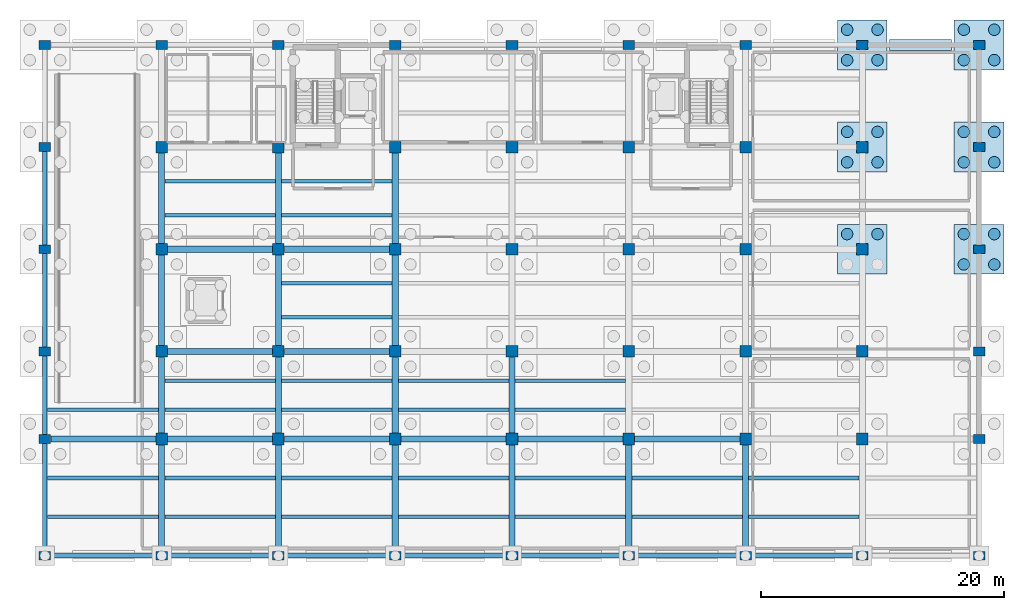
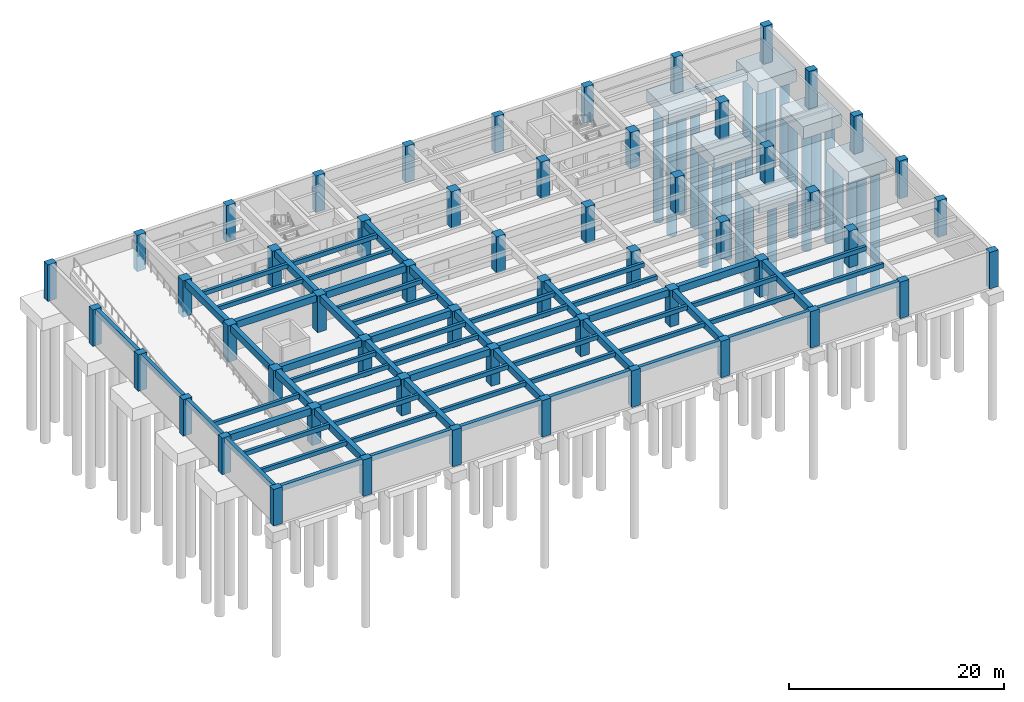
# One storey, part 2 of 8: 66 beams, 54 columns, 22 piles, 7 footings.
"""IFC4 building model written with IfcOpenShell, lengths in metres."""

from ifc_helpers import new_model, si_unit, direction, frame, origin, origin_2d, place, context, subcontext, project, spatial, rectangle, circle, extrude, material, material_profile, profile_set, type_object, element, save


model = new_model("IFC4")

# Units and contexts
model_context = context("Model", 3, precision=1e-05, world=origin(), true_north=direction((0.0, 1.0)))
body_context = subcontext(model_context, "Body", "Model", "MODEL_VIEW")
ifc_project = project(units=[si_unit("LENGTHUNIT", "METRE"), si_unit("AREAUNIT", "SQUARE_METRE"), si_unit("VOLUMEUNIT", "CUBIC_METRE"), si_unit("PLANEANGLEUNIT", "RADIAN"), si_unit("MASSUNIT", "GRAM", prefix="KILO")], contexts=[model_context])

# Site, building, storey
site_placement = place(None, origin())
site = spatial("IfcSite", under=ifc_project, at=site_placement, CompositionType="ELEMENT")
building_placement = place(site_placement, origin())
building = spatial("IfcBuilding", under=site, at=building_placement, Name="Bempovik Park Faculty of Sciences", CompositionType="ELEMENT")
storey_placement = place(building_placement, frame((0.0, 0.0, -4.5)))
storey = spatial("IfcBuildingStorey", under=building, at=storey_placement, Name="B1", CompositionType="ELEMENT", Elevation=-4.5)

# Footings
ifc_material_1 = material(Name="Concrete C35/45", Category="concrete")
footing_type_1 = type_object("IfcFootingType", Name="F-21 Pile Cap 4100x4100x1400", PredefinedType="PILE_CAP", material=ifc_material_1)
for number, where, z_axis, x_axis, name in (
    (1, (117.60009765625, 102.60009765625, -1.800048828125), (0.0, 0.0, 1.0), (1.0, 0.0, 0.0), "Footing FT-B1-1176-1026"),
    (2, (117.60009765625, 111.0, -1.800048828125), (0.0, 0.0, 1.0), (1.0, 0.0, 0.0), "Footing FT-B1-1176-1110"),
    (3, (117.60009765625, 119.39990234375, -1.800048828125), (0.0, 0.0, 1.0), (1.0, 0.0, 0.0), "Footing FT-B1-1176-1194"),
    (4, (127.199951171875, 102.60009765625, -1.800048828125), (0.0, 0.0, 1.0), (1.0, 0.0, 0.0), "Footing FT-B1-1272-1026"),
    (5, (127.199951171875, 111.0, -1.800048828125), (0.0, 0.0, 1.0), (1.0, 0.0, 0.0), "Footing FT-B1-1272-1110"),
    (6, (127.199951171875, 119.39990234375, -1.800048828125), (0.0, 0.0, 1.0), (1.0, 0.0, 0.0), "Footing FT-B1-1272-1194"),
):
    element("IfcFooting", number, at=place(storey_placement, frame(where, z_axis=z_axis, x_axis=x_axis)), inside=storey, type_object=footing_type_1, Name=name, PredefinedType="PILE_CAP", context=body_context, shape_type="SweptSolid", body=[
        extrude(rectangle(XDim=4.10009765625, YDim=4.10009765625, at=origin_2d()), origin(), (0.0, 0.0, 1.0), 1.39990234375),
    ])
footing_type_2 = type_object("IfcFootingType", Name="F-45 GB 900x700", PredefinedType="STRIP_FOOTING", material=ifc_material_1)
footing_placement = place(storey_placement, frame((122.39990234375, 119.39990234375, -1.10009765625), z_axis=(0.0, 0.0, 1.0), x_axis=(1.0, 0.0, 0.0)))
element("IfcFooting", 7, at=footing_placement, inside=storey, type_object=footing_type_2, Name="Retaining Strip Footing SF-B1-16", PredefinedType="STRIP_FOOTING", context=body_context, shape_type="SweptSolid", body=[
    extrude(rectangle(XDim=5.10009765625, YDim=0.89990234375, at=origin_2d()), origin(), (0.0, 0.0, 1.0), 0.699951171875),
])

# Piles
ifc_material_profile_1 = material_profile(ifc_material_1, circle(Radius=0.47509765625, at=origin_2d()), Name="BP D950")
ifc_profile_set_1 = profile_set([ifc_material_profile_1], Name="Concrete C35/45")
pile_type = type_object("IfcPileType", Name="P-14 BP D950", PredefinedType="BORED", material=ifc_profile_set_1)
for number, where, z_axis, x_axis, name in (
    (8, (116.35009765625, 103.85009765625, -1.699951171875), (0.0, 0.0, -1.0), (1.0, 0.0, 0.0), "Bored Pile FT-B1-1176-1026-P2"),
    (9, (118.85009765625, 103.85009765625, -1.699951171875), (0.0, 0.0, -1.0), (1.0, 0.0, 0.0), "Bored Pile FT-B1-1176-1026-P4"),
    (10, (116.35009765625, 109.75, -1.699951171875), (0.0, 0.0, -1.0), (1.0, 0.0, 0.0), "Bored Pile FT-B1-1176-1110-P1"),
    (11, (116.35009765625, 112.25, -1.699951171875), (0.0, 0.0, -1.0), (1.0, 0.0, 0.0), "Bored Pile FT-B1-1176-1110-P2"),
    (12, (118.85009765625, 109.75, -1.699951171875), (0.0, 0.0, -1.0), (1.0, 0.0, 0.0), "Bored Pile FT-B1-1176-1110-P3"),
    (13, (118.85009765625, 112.25, -1.699951171875), (0.0, 0.0, -1.0), (1.0, 0.0, 0.0), "Bored Pile FT-B1-1176-1110-P4"),
    (14, (116.35009765625, 118.14990234375, -1.699951171875), (0.0, 0.0, -1.0), (1.0, 0.0, 0.0), "Bored Pile FT-B1-1176-1194-P1"),
    (15, (116.35009765625, 120.64990234375, -1.699951171875), (0.0, 0.0, -1.0), (1.0, 0.0, 0.0), "Bored Pile FT-B1-1176-1194-P2"),
    (16, (118.85009765625, 118.14990234375, -1.699951171875), (0.0, 0.0, -1.0), (1.0, 0.0, 0.0), "Bored Pile FT-B1-1176-1194-P3"),
    (17, (118.85009765625, 120.64990234375, -1.699951171875), (0.0, 0.0, -1.0), (1.0, 0.0, 0.0), "Bored Pile FT-B1-1176-1194-P4"),
    (18, (125.949951171875, 101.35009765625, -1.699951171875), (0.0, 0.0, -1.0), (1.0, 0.0, 0.0), "Bored Pile FT-B1-1272-1026-P1"),
    (19, (125.949951171875, 103.85009765625, -1.699951171875), (0.0, 0.0, -1.0), (1.0, 0.0, 0.0), "Bored Pile FT-B1-1272-1026-P2"),
    (20, (128.449951171875, 101.35009765625, -1.699951171875), (0.0, 0.0, -1.0), (1.0, 0.0, 0.0), "Bored Pile FT-B1-1272-1026-P3"),
    (21, (128.449951171875, 103.85009765625, -1.699951171875), (0.0, 0.0, -1.0), (1.0, 0.0, 0.0), "Bored Pile FT-B1-1272-1026-P4"),
    (22, (125.949951171875, 109.75, -1.699951171875), (0.0, 0.0, -1.0), (1.0, 0.0, 0.0), "Bored Pile FT-B1-1272-1110-P1"),
    (23, (125.949951171875, 112.25, -1.699951171875), (0.0, 0.0, -1.0), (1.0, 0.0, 0.0), "Bored Pile FT-B1-1272-1110-P2"),
    (24, (128.449951171875, 109.75, -1.699951171875), (0.0, 0.0, -1.0), (1.0, 0.0, 0.0), "Bored Pile FT-B1-1272-1110-P3"),
    (25, (128.449951171875, 112.25, -1.699951171875), (0.0, 0.0, -1.0), (1.0, 0.0, 0.0), "Bored Pile FT-B1-1272-1110-P4"),
    (26, (125.949951171875, 118.14990234375, -1.699951171875), (0.0, 0.0, -1.0), (1.0, 0.0, 0.0), "Bored Pile FT-B1-1272-1194-P1"),
    (27, (125.949951171875, 120.64990234375, -1.699951171875), (0.0, 0.0, -1.0), (1.0, 0.0, 0.0), "Bored Pile FT-B1-1272-1194-P2"),
    (28, (128.449951171875, 118.14990234375, -1.699951171875), (0.0, 0.0, -1.0), (1.0, 0.0, 0.0), "Bored Pile FT-B1-1272-1194-P3"),
    (29, (128.449951171875, 120.64990234375, -1.699951171875), (0.0, 0.0, -1.0), (1.0, 0.0, 0.0), "Bored Pile FT-B1-1272-1194-P4"),
):
    element("IfcPile", number, at=place(storey_placement, frame(where, z_axis=z_axis, x_axis=x_axis)), inside=storey, type_object=pile_type, Name=name, PredefinedType="BORED", context=body_context, shape_type="SweptSolid", body=[
        extrude(circle(Radius=0.47509765625, at=origin_2d()), origin(), (0.0, 0.0, 1.0), 13.300048828125),
    ])

# Columns
ifc_material_2 = material(Name="Concrete C40/50", Category="concrete")
ifc_material_profile_2 = material_profile(ifc_material_2, rectangle(XDim=0.949951171875, YDim=0.719970703125, at=origin_2d()), Name="RC 950x720")
ifc_profile_set_2 = profile_set([ifc_material_profile_2], Name="Concrete C40/50")
column_type_1 = type_object("IfcColumnType", Name="C-63 RC 950x720", PredefinedType="COLUMN", material=ifc_profile_set_2)
for number, where, z_axis, x_axis, name in (
    (30, (50.39990234375, 77.39990234375, 0.0), (0.0, 0.0, 1.0), (1.0, 0.0, 0.0), "B1 Structural Column (50.4,77.4)"),
    (31, (50.39990234375, 87.0, 0.0), (0.0, 0.0, 1.0), (1.0, 0.0, 0.0), "B1 Structural Column (50.4,87.0)"),
    (32, (50.39990234375, 94.199951171875, 0.0), (0.0, 0.0, 1.0), (1.0, 0.0, 0.0), "B1 Structural Column (50.4,94.2)"),
    (33, (50.39990234375, 102.60009765625, 0.0), (0.0, 0.0, 1.0), (1.0, 0.0, 0.0), "B1 Structural Column (50.4,102.6)"),
    (34, (50.39990234375, 111.0, 0.0), (0.0, 0.0, 1.0), (1.0, 0.0, 0.0), "B1 Structural Column (50.4,111.0)"),
    (35, (50.39990234375, 119.39990234375, 0.0), (0.0, 0.0, 1.0), (1.0, 0.0, 0.0), "B1 Structural Column (50.4,119.4)"),
    (36, (60.0, 77.39990234375, 0.0), (0.0, 0.0, 1.0), (1.0, 0.0, 0.0), "B1 Structural Column (60.0,77.4)"),
    (37, (60.0, 119.39990234375, 0.0), (0.0, 0.0, 1.0), (1.0, 0.0, 0.0), "B1 Structural Column (60.0,119.4)"),
    (38, (69.60009765625, 77.39990234375, 0.0), (0.0, 0.0, 1.0), (1.0, 0.0, 0.0), "B1 Structural Column (69.6,77.4)"),
    (39, (69.60009765625, 119.39990234375, 0.0), (0.0, 0.0, 1.0), (1.0, 0.0, 0.0), "B1 Structural Column (69.6,119.4)"),
    (40, (79.199951171875, 77.39990234375, 0.0), (0.0, 0.0, 1.0), (1.0, 0.0, 0.0), "B1 Structural Column (79.2,77.4)"),
    (41, (79.199951171875, 119.39990234375, 0.0), (0.0, 0.0, 1.0), (1.0, 0.0, 0.0), "B1 Structural Column (79.2,119.4)"),
    (42, (88.800048828125, 77.39990234375, 0.0), (0.0, 0.0, 1.0), (1.0, 0.0, 0.0), "B1 Structural Column (88.8,77.4)"),
    (43, (88.800048828125, 119.39990234375, 0.0), (0.0, 0.0, 1.0), (1.0, 0.0, 0.0), "B1 Structural Column (88.8,119.4)"),
    (44, (98.39990234375, 77.39990234375, 0.0), (0.0, 0.0, 1.0), (1.0, 0.0, 0.0), "B1 Structural Column (98.4,77.4)"),
    (45, (98.39990234375, 119.39990234375, 0.0), (0.0, 0.0, 1.0), (1.0, 0.0, 0.0), "B1 Structural Column (98.4,119.4)"),
    (46, (108.0, 77.39990234375, 0.0), (0.0, 0.0, 1.0), (1.0, 0.0, 0.0), "B1 Structural Column (108.0,77.4)"),
    (47, (108.0, 119.39990234375, 0.0), (0.0, 0.0, 1.0), (1.0, 0.0, 0.0), "B1 Structural Column (108.0,119.4)"),
    (48, (117.60009765625, 77.39990234375, 0.0), (0.0, 0.0, 1.0), (1.0, 0.0, 0.0), "B1 Structural Column (117.6,77.4)"),
    (49, (117.60009765625, 119.39990234375, 0.0), (0.0, 0.0, 1.0), (1.0, 0.0, 0.0), "B1 Structural Column (117.6,119.4)"),
    (50, (127.199951171875, 77.39990234375, 0.0), (0.0, 0.0, 1.0), (1.0, 0.0, 0.0), "B1 Structural Column (127.2,77.4)"),
    (51, (127.199951171875, 87.0, 0.0), (0.0, 0.0, 1.0), (1.0, 0.0, 0.0), "B1 Structural Column (127.2,87.0)"),
):
    element("IfcColumn", number, at=place(storey_placement, frame(where, z_axis=z_axis, x_axis=x_axis)), inside=storey, type_object=column_type_1, Name=name, PredefinedType="COLUMN", context=body_context, shape_type="SweptSolid", body=[
        extrude(rectangle(XDim=0.949951171875, YDim=0.719970703125, at=origin_2d()), origin(), (0.0, 0.0, 1.0), 4.139892578125),
    ])
for number, where, z_axis, x_axis, name in (
    (52, (127.199951171875, 94.199951171875, 0.0), (0.0, 0.0, 1.0), (1.0, 0.0, 0.0), "B1 Structural Column (127.2,94.2)"),
    (53, (127.199951171875, 102.60009765625, 0.0), (0.0, 0.0, 1.0), (1.0, 0.0, 0.0), "B1 Structural Column (127.2,102.6)"),
    (54, (127.199951171875, 111.0, 0.0), (0.0, 0.0, 1.0), (1.0, 0.0, 0.0), "B1 Structural Column (127.2,111.0)"),
    (55, (127.199951171875, 119.39990234375, 0.0), (0.0, 0.0, 1.0), (1.0, 0.0, 0.0), "B1 Structural Column (127.2,119.4)"),
):
    element("IfcColumn", number, at=place(storey_placement, frame(where, z_axis=z_axis, x_axis=x_axis)), inside=storey, type_object=column_type_1, Name=name, PredefinedType="COLUMN", context=body_context, shape_type="SweptSolid", body=[
        extrude(rectangle(XDim=0.949951171875, YDim=0.719970703125, at=origin_2d()), origin(), (0.0, 0.0, 1.0), 4.280029296875),
    ])
ifc_material_profile_3 = material_profile(ifc_material_2, rectangle(XDim=0.949951171875, YDim=0.949951171875, at=origin_2d()), Name="RC 950x950")
ifc_profile_set_3 = profile_set([ifc_material_profile_3], Name="Concrete C40/50")
column_type_2 = type_object("IfcColumnType", Name="C-76 RC 950x950", PredefinedType="COLUMN", material=ifc_profile_set_3)
for number, where, z_axis, x_axis, name in (
    (56, (60.0, 87.0, 0.0), (0.0, 0.0, 1.0), (1.0, 0.0, 0.0), "B1 Structural Column (60.0,87.0)"),
    (57, (60.0, 94.199951171875, 0.0), (0.0, 0.0, 1.0), (1.0, 0.0, 0.0), "B1 Structural Column (60.0,94.2)"),
    (58, (60.0, 102.60009765625, 0.0), (0.0, 0.0, 1.0), (1.0, 0.0, 0.0), "B1 Structural Column (60.0,102.6)"),
    (59, (60.0, 111.0, 0.0), (0.0, 0.0, 1.0), (1.0, 0.0, 0.0), "B1 Structural Column (60.0,111.0)"),
    (60, (69.60009765625, 87.0, 0.0), (0.0, 0.0, 1.0), (1.0, 0.0, 0.0), "B1 Structural Column (69.6,87.0)"),
    (61, (69.60009765625, 94.199951171875, 0.0), (0.0, 0.0, 1.0), (1.0, 0.0, 0.0), "B1 Structural Column (69.6,94.2)"),
    (62, (69.60009765625, 102.60009765625, 0.0), (0.0, 0.0, 1.0), (1.0, 0.0, 0.0), "B1 Structural Column (69.6,102.6)"),
    (63, (69.60009765625, 111.0, 0.0), (0.0, 0.0, 1.0), (1.0, 0.0, 0.0), "B1 Structural Column (69.6,111.0)"),
    (64, (79.199951171875, 87.0, 0.0), (0.0, 0.0, 1.0), (1.0, 0.0, 0.0), "B1 Structural Column (79.2,87.0)"),
    (65, (79.199951171875, 94.199951171875, 0.0), (0.0, 0.0, 1.0), (1.0, 0.0, 0.0), "B1 Structural Column (79.2,94.2)"),
    (66, (79.199951171875, 102.60009765625, 0.0), (0.0, 0.0, 1.0), (1.0, 0.0, 0.0), "B1 Structural Column (79.2,102.6)"),
    (67, (79.199951171875, 111.0, 0.0), (0.0, 0.0, 1.0), (1.0, 0.0, 0.0), "B1 Structural Column (79.2,111.0)"),
    (68, (88.800048828125, 87.0, 0.0), (0.0, 0.0, 1.0), (1.0, 0.0, 0.0), "B1 Structural Column (88.8,87.0)"),
    (69, (88.800048828125, 94.199951171875, 0.0), (0.0, 0.0, 1.0), (1.0, 0.0, 0.0), "B1 Structural Column (88.8,94.2)"),
    (70, (88.800048828125, 102.60009765625, 0.0), (0.0, 0.0, 1.0), (1.0, 0.0, 0.0), "B1 Structural Column (88.8,102.6)"),
    (71, (88.800048828125, 111.0, 0.0), (0.0, 0.0, 1.0), (1.0, 0.0, 0.0), "B1 Structural Column (88.8,111.0)"),
    (72, (98.39990234375, 87.0, 0.0), (0.0, 0.0, 1.0), (1.0, 0.0, 0.0), "B1 Structural Column (98.4,87.0)"),
    (73, (98.39990234375, 94.199951171875, 0.0), (0.0, 0.0, 1.0), (1.0, 0.0, 0.0), "B1 Structural Column (98.4,94.2)"),
    (74, (98.39990234375, 102.60009765625, 0.0), (0.0, 0.0, 1.0), (1.0, 0.0, 0.0), "B1 Structural Column (98.4,102.6)"),
    (75, (98.39990234375, 111.0, 0.0), (0.0, 0.0, 1.0), (1.0, 0.0, 0.0), "B1 Structural Column (98.4,111.0)"),
    (76, (108.0, 87.0, 0.0), (0.0, 0.0, 1.0), (1.0, 0.0, 0.0), "B1 Structural Column (108.0,87.0)"),
    (77, (108.0, 94.199951171875, 0.0), (0.0, 0.0, 1.0), (1.0, 0.0, 0.0), "B1 Structural Column (108.0,94.2)"),
    (78, (108.0, 102.60009765625, 0.0), (0.0, 0.0, 1.0), (1.0, 0.0, 0.0), "B1 Structural Column (108.0,102.6)"),
    (79, (108.0, 111.0, 0.0), (0.0, 0.0, 1.0), (1.0, 0.0, 0.0), "B1 Structural Column (108.0,111.0)"),
    (80, (117.60009765625, 87.0, 0.0), (0.0, 0.0, 1.0), (1.0, 0.0, 0.0), "B1 Structural Column (117.6,87.0)"),
    (81, (117.60009765625, 94.199951171875, 0.0), (0.0, 0.0, 1.0), (1.0, 0.0, 0.0), "B1 Structural Column (117.6,94.2)"),
    (82, (117.60009765625, 102.60009765625, 0.0), (0.0, 0.0, 1.0), (1.0, 0.0, 0.0), "B1 Structural Column (117.6,102.6)"),
    (83, (117.60009765625, 111.0, 0.0), (0.0, 0.0, 1.0), (1.0, 0.0, 0.0), "B1 Structural Column (117.6,111.0)"),
):
    element("IfcColumn", number, at=place(storey_placement, frame(where, z_axis=z_axis, x_axis=x_axis)), inside=storey, type_object=column_type_2, Name=name, PredefinedType="COLUMN", context=body_context, shape_type="SweptSolid", body=[
        extrude(rectangle(XDim=0.949951171875, YDim=0.949951171875, at=origin_2d()), origin(), (0.0, 0.0, 1.0), 4.139892578125),
    ])

# Beams
ifc_material_profile_4 = material_profile(ifc_material_1, rectangle(XDim=0.3798828125, YDim=0.60009765625, at=origin_2d()), Name="RC 380x600")
ifc_profile_set_4 = profile_set([ifc_material_profile_4], Name="Concrete C35/45")
beam_type_1 = type_object("IfcBeamType", Name="B-032 RC 380x600", PredefinedType="SPANDREL", material=ifc_profile_set_4)
for number, where, z_axis, x_axis, name in (
    (84, (50.881103515625, 77.39990234375, 3.840087890625), (1.0, 0.0, 0.0), (0.0, 1.0, 0.0), "B1 Beam X (50.4-60.0, y=77.4)"),
    (85, (60.48095703125, 77.39990234375, 3.840087890625), (1.0, 0.0, 0.0), (0.0, 1.0, 0.0), "B1 Beam X (60.0-69.6, y=77.4)"),
    (86, (70.0810546875, 77.39990234375, 3.840087890625), (1.0, 0.0, 0.0), (0.0, 1.0, 0.0), "B1 Beam X (69.6-79.2, y=77.4)"),
):
    element("IfcBeam", number, at=place(storey_placement, frame(where, z_axis=z_axis, x_axis=x_axis)), inside=storey, type_object=beam_type_1, Name=name, PredefinedType="SPANDREL", context=body_context, shape_type="SweptSolid", body=[
        extrude(rectangle(XDim=0.3798828125, YDim=0.60009765625, at=origin_2d()), origin(), (0.0, 0.0, 1.0), 8.637939453125),
    ])
beam_1_placement = place(storey_placement, frame((79.680908203125, 77.39990234375, 3.840087890625), z_axis=(1.0, 0.0, 0.0), x_axis=(0.0, 1.0, 0.0)))
element("IfcBeam", 87, at=beam_1_placement, inside=storey, type_object=beam_type_1, Name="B1 Beam X (79.2-88.8, y=77.4)", PredefinedType="SPANDREL", context=body_context, shape_type="SweptSolid", body=[
    extrude(rectangle(XDim=0.3798828125, YDim=0.60009765625, at=origin_2d()), origin(), (0.0, 0.0, 1.0), 8.63818359375),
])
for number, where, z_axis, x_axis, name in (
    (88, (89.281005859375, 77.39990234375, 3.840087890625), (1.0, 0.0, 0.0), (0.0, 1.0, 0.0), "B1 Beam X (88.8-98.4, y=77.4)"),
    (89, (98.881103515625, 77.39990234375, 3.840087890625), (1.0, 0.0, 0.0), (0.0, 1.0, 0.0), "B1 Beam X (98.4-108.0, y=77.4)"),
    (90, (108.48095703125, 77.39990234375, 3.840087890625), (1.0, 0.0, 0.0), (0.0, 1.0, 0.0), "B1 Beam X (108.0-117.6, y=77.4)"),
):
    element("IfcBeam", number, at=place(storey_placement, frame(where, z_axis=z_axis, x_axis=x_axis)), inside=storey, type_object=beam_type_1, Name=name, PredefinedType="SPANDREL", context=body_context, shape_type="SweptSolid", body=[
        extrude(rectangle(XDim=0.3798828125, YDim=0.60009765625, at=origin_2d()), origin(), (0.0, 0.0, 1.0), 8.637939453125),
    ])
beam_2_placement = place(storey_placement, frame((50.39990234375, 77.76611328125, 3.840087890625), z_axis=(0.0, 1.0, 0.0), x_axis=(-1.0, 0.0, 0.0)))
element("IfcBeam", 91, at=beam_2_placement, inside=storey, type_object=beam_type_1, Name="B1 Beam Y (x=50.4, 77.4-87.0)", PredefinedType="SPANDREL", context=body_context, shape_type="SweptSolid", body=[
    extrude(rectangle(XDim=0.3798828125, YDim=0.60009765625, at=origin_2d()), origin(), (0.0, 0.0, 1.0), 8.867919921875),
])
beam_3_placement = place(storey_placement, frame((50.39990234375, 87.365966796875, 3.840087890625), z_axis=(0.0, 1.0, 0.0), x_axis=(-1.0, 0.0, 0.0)))
element("IfcBeam", 92, at=beam_3_placement, inside=storey, type_object=beam_type_1, Name="B1 Beam Y (x=50.4, 87.0-94.2)", PredefinedType="SPANDREL", context=body_context, shape_type="SweptSolid", body=[
    extrude(rectangle(XDim=0.3798828125, YDim=0.60009765625, at=origin_2d()), origin(), (0.0, 0.0, 1.0), 6.468017578125),
])
for number, where, z_axis, x_axis, name in (
    (93, (50.39990234375, 94.56591796875, 3.840087890625), (0.0, 1.0, 0.0), (-1.0, 0.0, 0.0), "B1 Beam Y (x=50.4, 94.2-102.6)"),
    (94, (50.39990234375, 102.966064453125, 3.840087890625), (0.0, 1.0, 0.0), (-1.0, 0.0, 0.0), "B1 Beam Y (x=50.4, 102.6-111.0)"),
):
    element("IfcBeam", number, at=place(storey_placement, frame(where, z_axis=z_axis, x_axis=x_axis)), inside=storey, type_object=beam_type_1, Name=name, PredefinedType="SPANDREL", context=body_context, shape_type="SweptSolid", body=[
        extrude(rectangle(XDim=0.3798828125, YDim=0.60009765625, at=origin_2d()), origin(), (0.0, 0.0, 1.0), 7.66796875),
    ])
ifc_material_profile_5 = material_profile(ifc_material_1, rectangle(XDim=0.300048828125, YDim=0.47998046875, at=origin_2d()), Name="RC 300x480")
ifc_profile_set_5 = profile_set([ifc_material_profile_5], Name="Concrete C35/45")
beam_type_2 = type_object("IfcBeamType", Name="B-039 RC 300x480", PredefinedType="JOIST", material=ifc_profile_set_5)
for number, where, z_axis, x_axis, name in (
    (95, (50.595947265625, 80.60009765625, 3.89990234375), (1.0, 0.0, 0.0), (0.0, 1.0, 0.0), "B1 Secondary Joist (50.4-60.0, y=80.60)"),
    (96, (50.595947265625, 83.800048828125, 3.89990234375), (1.0, 0.0, 0.0), (0.0, 1.0, 0.0), "B1 Secondary Joist (50.4-60.0, y=83.80)"),
    (97, (50.595947265625, 89.39990234375, 3.89990234375), (1.0, 0.0, 0.0), (0.0, 1.0, 0.0), "B1 Secondary Joist (50.4-60.0, y=89.40)"),
):
    element("IfcBeam", number, at=place(storey_placement, frame(where, z_axis=z_axis, x_axis=x_axis)), inside=storey, type_object=beam_type_2, Name=name, PredefinedType="JOIST", context=body_context, shape_type="SweptSolid", body=[
        extrude(rectangle(XDim=0.300048828125, YDim=0.47998046875, at=origin_2d()), origin(), (0.0, 0.0, 1.0), 9.14794921875),
    ])
for number, where, z_axis, x_axis, name in (
    (98, (60.256103515625, 80.60009765625, 3.89990234375), (1.0, 0.0, 0.0), (0.0, 1.0, 0.0), "B1 Secondary Joist (60.0-69.6, y=80.60)"),
    (99, (60.256103515625, 83.800048828125, 3.89990234375), (1.0, 0.0, 0.0), (0.0, 1.0, 0.0), "B1 Secondary Joist (60.0-69.6, y=83.80)"),
    (100, (60.256103515625, 89.39990234375, 3.89990234375), (1.0, 0.0, 0.0), (0.0, 1.0, 0.0), "B1 Secondary Joist (60.0-69.6, y=89.40)"),
    (101, (60.256103515625, 91.800048828125, 3.89990234375), (1.0, 0.0, 0.0), (0.0, 1.0, 0.0), "B1 Secondary Joist (60.0-69.6, y=91.80)"),
    (102, (60.256103515625, 105.39990234375, 3.89990234375), (1.0, 0.0, 0.0), (0.0, 1.0, 0.0), "B1 Secondary Joist (60.0-69.6, y=105.40)"),
    (103, (60.256103515625, 108.199951171875, 3.89990234375), (1.0, 0.0, 0.0), (0.0, 1.0, 0.0), "B1 Secondary Joist (60.0-69.6, y=108.20)"),
):
    element("IfcBeam", number, at=place(storey_placement, frame(where, z_axis=z_axis, x_axis=x_axis)), inside=storey, type_object=beam_type_2, Name=name, PredefinedType="JOIST", context=body_context, shape_type="SweptSolid", body=[
        extrude(rectangle(XDim=0.300048828125, YDim=0.47998046875, at=origin_2d()), origin(), (0.0, 0.0, 1.0), 9.087890625),
    ])
for number, where, z_axis, x_axis, name in (
    (104, (69.85595703125, 80.60009765625, 3.89990234375), (1.0, 0.0, 0.0), (0.0, 1.0, 0.0), "B1 Secondary Joist (69.6-79.2, y=80.60)"),
    (105, (69.85595703125, 83.800048828125, 3.89990234375), (1.0, 0.0, 0.0), (0.0, 1.0, 0.0), "B1 Secondary Joist (69.6-79.2, y=83.80)"),
    (106, (69.85595703125, 89.39990234375, 3.89990234375), (1.0, 0.0, 0.0), (0.0, 1.0, 0.0), "B1 Secondary Joist (69.6-79.2, y=89.40)"),
    (107, (69.85595703125, 91.800048828125, 3.89990234375), (1.0, 0.0, 0.0), (0.0, 1.0, 0.0), "B1 Secondary Joist (69.6-79.2, y=91.80)"),
    (108, (69.85595703125, 97.0, 3.89990234375), (1.0, 0.0, 0.0), (0.0, 1.0, 0.0), "B1 Secondary Joist (69.6-79.2, y=97.00)"),
    (109, (69.85595703125, 99.800048828125, 3.89990234375), (1.0, 0.0, 0.0), (0.0, 1.0, 0.0), "B1 Secondary Joist (69.6-79.2, y=99.80)"),
    (110, (69.85595703125, 105.39990234375, 3.89990234375), (1.0, 0.0, 0.0), (0.0, 1.0, 0.0), "B1 Secondary Joist (69.6-79.2, y=105.40)"),
    (111, (69.85595703125, 108.199951171875, 3.89990234375), (1.0, 0.0, 0.0), (0.0, 1.0, 0.0), "B1 Secondary Joist (69.6-79.2, y=108.20)"),
):
    element("IfcBeam", number, at=place(storey_placement, frame(where, z_axis=z_axis, x_axis=x_axis)), inside=storey, type_object=beam_type_2, Name=name, PredefinedType="JOIST", context=body_context, shape_type="SweptSolid", body=[
        extrude(rectangle(XDim=0.300048828125, YDim=0.47998046875, at=origin_2d()), origin(), (0.0, 0.0, 1.0), 9.088134765625),
    ])
for number, where, z_axis, x_axis, name in (
    (112, (79.4560546875, 80.60009765625, 3.89990234375), (1.0, 0.0, 0.0), (0.0, 1.0, 0.0), "B1 Secondary Joist (79.2-88.8, y=80.60)"),
    (113, (79.4560546875, 83.800048828125, 3.89990234375), (1.0, 0.0, 0.0), (0.0, 1.0, 0.0), "B1 Secondary Joist (79.2-88.8, y=83.80)"),
    (114, (79.4560546875, 89.39990234375, 3.89990234375), (1.0, 0.0, 0.0), (0.0, 1.0, 0.0), "B1 Secondary Joist (79.2-88.8, y=89.40)"),
    (115, (79.4560546875, 91.800048828125, 3.89990234375), (1.0, 0.0, 0.0), (0.0, 1.0, 0.0), "B1 Secondary Joist (79.2-88.8, y=91.80)"),
):
    element("IfcBeam", number, at=place(storey_placement, frame(where, z_axis=z_axis, x_axis=x_axis)), inside=storey, type_object=beam_type_2, Name=name, PredefinedType="JOIST", context=body_context, shape_type="SweptSolid", body=[
        extrude(rectangle(XDim=0.300048828125, YDim=0.47998046875, at=origin_2d()), origin(), (0.0, 0.0, 1.0), 9.087890625),
    ])
for number, where, z_axis, x_axis, name in (
    (116, (89.055908203125, 80.60009765625, 3.89990234375), (1.0, 0.0, 0.0), (0.0, 1.0, 0.0), "B1 Secondary Joist (88.8-98.4, y=80.60)"),
    (117, (89.055908203125, 83.800048828125, 3.89990234375), (1.0, 0.0, 0.0), (0.0, 1.0, 0.0), "B1 Secondary Joist (88.8-98.4, y=83.80)"),
    (118, (89.055908203125, 89.39990234375, 3.89990234375), (1.0, 0.0, 0.0), (0.0, 1.0, 0.0), "B1 Secondary Joist (88.8-98.4, y=89.40)"),
    (119, (89.055908203125, 91.800048828125, 3.89990234375), (1.0, 0.0, 0.0), (0.0, 1.0, 0.0), "B1 Secondary Joist (88.8-98.4, y=91.80)"),
):
    element("IfcBeam", number, at=place(storey_placement, frame(where, z_axis=z_axis, x_axis=x_axis)), inside=storey, type_object=beam_type_2, Name=name, PredefinedType="JOIST", context=body_context, shape_type="SweptSolid", body=[
        extrude(rectangle(XDim=0.300048828125, YDim=0.47998046875, at=origin_2d()), origin(), (0.0, 0.0, 1.0), 9.088134765625),
    ])
for number, where, z_axis, x_axis, name in (
    (120, (98.656005859375, 80.60009765625, 3.89990234375), (1.0, 0.0, 0.0), (0.0, 1.0, 0.0), "B1 Secondary Joist (98.4-108.0, y=80.60)"),
    (121, (98.656005859375, 83.800048828125, 3.89990234375), (1.0, 0.0, 0.0), (0.0, 1.0, 0.0), "B1 Secondary Joist (98.4-108.0, y=83.80)"),
    (122, (108.256103515625, 80.60009765625, 3.89990234375), (1.0, 0.0, 0.0), (0.0, 1.0, 0.0), "B1 Secondary Joist (108.0-117.6, y=80.60)"),
    (123, (108.256103515625, 83.800048828125, 3.89990234375), (1.0, 0.0, 0.0), (0.0, 1.0, 0.0), "B1 Secondary Joist (108.0-117.6, y=83.80)"),
):
    element("IfcBeam", number, at=place(storey_placement, frame(where, z_axis=z_axis, x_axis=x_axis)), inside=storey, type_object=beam_type_2, Name=name, PredefinedType="JOIST", context=body_context, shape_type="SweptSolid", body=[
        extrude(rectangle(XDim=0.300048828125, YDim=0.47998046875, at=origin_2d()), origin(), (0.0, 0.0, 1.0), 9.087890625),
    ])
ifc_material_profile_6 = material_profile(ifc_material_2, rectangle(XDim=0.5, YDim=0.780029296875, at=origin_2d()), Name="RC 500x780")
ifc_profile_set_6 = profile_set([ifc_material_profile_6], Name="Concrete C40/50")
beam_type_3 = type_object("IfcBeamType", Name="B-065 RC 500x780", PredefinedType="BEAM", material=ifc_profile_set_6)
for number, where, z_axis, x_axis, name in (
    (124, (50.881103515625, 87.0, 3.75), (1.0, 0.0, 0.0), (0.0, 1.0, 0.0), "B1 Beam X (50.4-60.0, y=87.0)"),
    (125, (60.48095703125, 87.0, 3.75), (1.0, 0.0, 0.0), (0.0, 1.0, 0.0), "B1 Beam X (60.0-69.6, y=87.0)"),
    (126, (70.0810546875, 87.0, 3.75), (1.0, 0.0, 0.0), (0.0, 1.0, 0.0), "B1 Beam X (69.6-79.2, y=87.0)"),
):
    element("IfcBeam", number, at=place(storey_placement, frame(where, z_axis=z_axis, x_axis=x_axis)), inside=storey, type_object=beam_type_3, Name=name, PredefinedType="BEAM", context=body_context, shape_type="SweptSolid", body=[
        extrude(rectangle(XDim=0.5, YDim=0.780029296875, at=origin_2d()), origin(), (0.0, 0.0, 1.0), 8.637939453125),
    ])
beam_4_placement = place(storey_placement, frame((79.680908203125, 87.0, 3.75), z_axis=(1.0, 0.0, 0.0), x_axis=(0.0, 1.0, 0.0)))
element("IfcBeam", 127, at=beam_4_placement, inside=storey, type_object=beam_type_3, Name="B1 Beam X (79.2-88.8, y=87.0)", PredefinedType="BEAM", context=body_context, shape_type="SweptSolid", body=[
    extrude(rectangle(XDim=0.5, YDim=0.780029296875, at=origin_2d()), origin(), (0.0, 0.0, 1.0), 8.63818359375),
])
for number, where, z_axis, x_axis, name in (
    (128, (89.281005859375, 87.0, 3.75), (1.0, 0.0, 0.0), (0.0, 1.0, 0.0), "B1 Beam X (88.8-98.4, y=87.0)"),
    (129, (98.881103515625, 87.0, 3.75), (1.0, 0.0, 0.0), (0.0, 1.0, 0.0), "B1 Beam X (98.4-108.0, y=87.0)"),
    (130, (60.48095703125, 94.199951171875, 3.75), (1.0, 0.0, 0.0), (0.0, 1.0, 0.0), "B1 Beam X (60.0-69.6, y=94.2)"),
    (131, (70.0810546875, 94.199951171875, 3.75), (1.0, 0.0, 0.0), (0.0, 1.0, 0.0), "B1 Beam X (69.6-79.2, y=94.2)"),
    (132, (60.48095703125, 102.60009765625, 3.75), (1.0, 0.0, 0.0), (0.0, 1.0, 0.0), "B1 Beam X (60.0-69.6, y=102.6)"),
    (133, (70.0810546875, 102.60009765625, 3.75), (1.0, 0.0, 0.0), (0.0, 1.0, 0.0), "B1 Beam X (69.6-79.2, y=102.6)"),
):
    element("IfcBeam", number, at=place(storey_placement, frame(where, z_axis=z_axis, x_axis=x_axis)), inside=storey, type_object=beam_type_3, Name=name, PredefinedType="BEAM", context=body_context, shape_type="SweptSolid", body=[
        extrude(rectangle(XDim=0.5, YDim=0.780029296875, at=origin_2d()), origin(), (0.0, 0.0, 1.0), 8.637939453125),
    ])
beam_5_placement = place(storey_placement, frame((60.0, 77.76611328125, 3.75), z_axis=(0.0, 1.0, 0.0), x_axis=(-1.0, 0.0, 0.0)))
element("IfcBeam", 134, at=beam_5_placement, inside=storey, type_object=beam_type_3, Name="B1 Beam Y (x=60.0, 77.4-87.0)", PredefinedType="BEAM", context=body_context, shape_type="SweptSolid", body=[
    extrude(rectangle(XDim=0.5, YDim=0.780029296875, at=origin_2d()), origin(), (0.0, 0.0, 1.0), 8.7529296875),
])
beam_6_placement = place(storey_placement, frame((60.0, 87.48095703125, 3.75), z_axis=(0.0, 1.0, 0.0), x_axis=(-1.0, 0.0, 0.0)))
element("IfcBeam", 135, at=beam_6_placement, inside=storey, type_object=beam_type_3, Name="B1 Beam Y (x=60.0, 87.0-94.2)", PredefinedType="BEAM", context=body_context, shape_type="SweptSolid", body=[
    extrude(rectangle(XDim=0.5, YDim=0.780029296875, at=origin_2d()), origin(), (0.0, 0.0, 1.0), 6.238037109375),
])
for number, where, z_axis, x_axis, name in (
    (136, (60.0, 94.680908203125, 3.75), (0.0, 1.0, 0.0), (-1.0, 0.0, 0.0), "B1 Beam Y (x=60.0, 94.2-102.6)"),
    (137, (60.0, 103.0810546875, 3.75), (0.0, 1.0, 0.0), (-1.0, 0.0, 0.0), "B1 Beam Y (x=60.0, 102.6-111.0)"),
):
    element("IfcBeam", number, at=place(storey_placement, frame(where, z_axis=z_axis, x_axis=x_axis)), inside=storey, type_object=beam_type_3, Name=name, PredefinedType="BEAM", context=body_context, shape_type="SweptSolid", body=[
        extrude(rectangle(XDim=0.5, YDim=0.780029296875, at=origin_2d()), origin(), (0.0, 0.0, 1.0), 7.43798828125),
    ])
beam_7_placement = place(storey_placement, frame((69.60009765625, 77.76611328125, 3.75), z_axis=(0.0, 1.0, 0.0), x_axis=(-1.0, 0.0, 0.0)))
element("IfcBeam", 138, at=beam_7_placement, inside=storey, type_object=beam_type_3, Name="B1 Beam Y (x=69.6, 77.4-87.0)", PredefinedType="BEAM", context=body_context, shape_type="SweptSolid", body=[
    extrude(rectangle(XDim=0.5, YDim=0.780029296875, at=origin_2d()), origin(), (0.0, 0.0, 1.0), 8.7529296875),
])
beam_8_placement = place(storey_placement, frame((69.60009765625, 87.48095703125, 3.75), z_axis=(0.0, 1.0, 0.0), x_axis=(-1.0, 0.0, 0.0)))
element("IfcBeam", 139, at=beam_8_placement, inside=storey, type_object=beam_type_3, Name="B1 Beam Y (x=69.6, 87.0-94.2)", PredefinedType="BEAM", context=body_context, shape_type="SweptSolid", body=[
    extrude(rectangle(XDim=0.5, YDim=0.780029296875, at=origin_2d()), origin(), (0.0, 0.0, 1.0), 6.238037109375),
])
for number, where, z_axis, x_axis, name in (
    (140, (69.60009765625, 94.680908203125, 3.75), (0.0, 1.0, 0.0), (-1.0, 0.0, 0.0), "B1 Beam Y (x=69.6, 94.2-102.6)"),
    (141, (69.60009765625, 103.0810546875, 3.75), (0.0, 1.0, 0.0), (-1.0, 0.0, 0.0), "B1 Beam Y (x=69.6, 102.6-111.0)"),
):
    element("IfcBeam", number, at=place(storey_placement, frame(where, z_axis=z_axis, x_axis=x_axis)), inside=storey, type_object=beam_type_3, Name=name, PredefinedType="BEAM", context=body_context, shape_type="SweptSolid", body=[
        extrude(rectangle(XDim=0.5, YDim=0.780029296875, at=origin_2d()), origin(), (0.0, 0.0, 1.0), 7.43798828125),
    ])
beam_9_placement = place(storey_placement, frame((79.199951171875, 77.76611328125, 3.75), z_axis=(0.0, 1.0, 0.0), x_axis=(-1.0, 0.0, 0.0)))
element("IfcBeam", 142, at=beam_9_placement, inside=storey, type_object=beam_type_3, Name="B1 Beam Y (x=79.2, 77.4-87.0)", PredefinedType="BEAM", context=body_context, shape_type="SweptSolid", body=[
    extrude(rectangle(XDim=0.5, YDim=0.780029296875, at=origin_2d()), origin(), (0.0, 0.0, 1.0), 8.7529296875),
])
beam_10_placement = place(storey_placement, frame((79.199951171875, 87.48095703125, 3.75), z_axis=(0.0, 1.0, 0.0), x_axis=(-1.0, 0.0, 0.0)))
element("IfcBeam", 143, at=beam_10_placement, inside=storey, type_object=beam_type_3, Name="B1 Beam Y (x=79.2, 87.0-94.2)", PredefinedType="BEAM", context=body_context, shape_type="SweptSolid", body=[
    extrude(rectangle(XDim=0.5, YDim=0.780029296875, at=origin_2d()), origin(), (0.0, 0.0, 1.0), 6.238037109375),
])
for number, where, z_axis, x_axis, name in (
    (144, (79.199951171875, 94.680908203125, 3.75), (0.0, 1.0, 0.0), (-1.0, 0.0, 0.0), "B1 Beam Y (x=79.2, 94.2-102.6)"),
    (145, (79.199951171875, 103.0810546875, 3.75), (0.0, 1.0, 0.0), (-1.0, 0.0, 0.0), "B1 Beam Y (x=79.2, 102.6-111.0)"),
):
    element("IfcBeam", number, at=place(storey_placement, frame(where, z_axis=z_axis, x_axis=x_axis)), inside=storey, type_object=beam_type_3, Name=name, PredefinedType="BEAM", context=body_context, shape_type="SweptSolid", body=[
        extrude(rectangle(XDim=0.5, YDim=0.780029296875, at=origin_2d()), origin(), (0.0, 0.0, 1.0), 7.43798828125),
    ])
beam_11_placement = place(storey_placement, frame((88.800048828125, 77.76611328125, 3.75), z_axis=(0.0, 1.0, 0.0), x_axis=(-1.0, 0.0, 0.0)))
element("IfcBeam", 146, at=beam_11_placement, inside=storey, type_object=beam_type_3, Name="B1 Beam Y (x=88.8, 77.4-87.0)", PredefinedType="BEAM", context=body_context, shape_type="SweptSolid", body=[
    extrude(rectangle(XDim=0.5, YDim=0.780029296875, at=origin_2d()), origin(), (0.0, 0.0, 1.0), 8.7529296875),
])
beam_12_placement = place(storey_placement, frame((88.800048828125, 87.48095703125, 3.75), z_axis=(0.0, 1.0, 0.0), x_axis=(-1.0, 0.0, 0.0)))
element("IfcBeam", 147, at=beam_12_placement, inside=storey, type_object=beam_type_3, Name="B1 Beam Y (x=88.8, 87.0-94.2)", PredefinedType="BEAM", context=body_context, shape_type="SweptSolid", body=[
    extrude(rectangle(XDim=0.5, YDim=0.780029296875, at=origin_2d()), origin(), (0.0, 0.0, 1.0), 6.238037109375),
])
for number, where, z_axis, x_axis, name in (
    (148, (98.39990234375, 77.76611328125, 3.75), (0.0, 1.0, 0.0), (-1.0, 0.0, 0.0), "B1 Beam Y (x=98.4, 77.4-87.0)"),
    (149, (108.0, 77.76611328125, 3.75), (0.0, 1.0, 0.0), (-1.0, 0.0, 0.0), "B1 Beam Y (x=108.0, 77.4-87.0)"),
):
    element("IfcBeam", number, at=place(storey_placement, frame(where, z_axis=z_axis, x_axis=x_axis)), inside=storey, type_object=beam_type_3, Name=name, PredefinedType="BEAM", context=body_context, shape_type="SweptSolid", body=[
        extrude(rectangle(XDim=0.5, YDim=0.780029296875, at=origin_2d()), origin(), (0.0, 0.0, 1.0), 8.7529296875),
    ])

save(model, "model.ifc")
